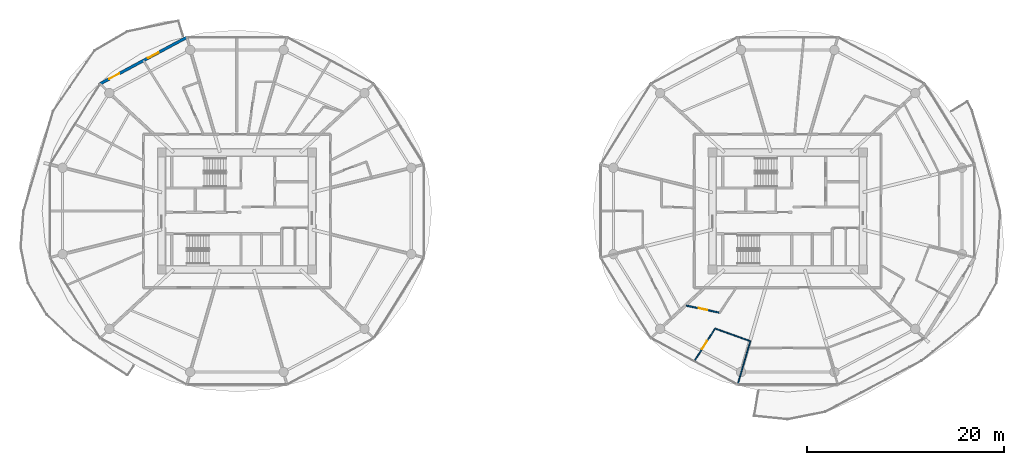
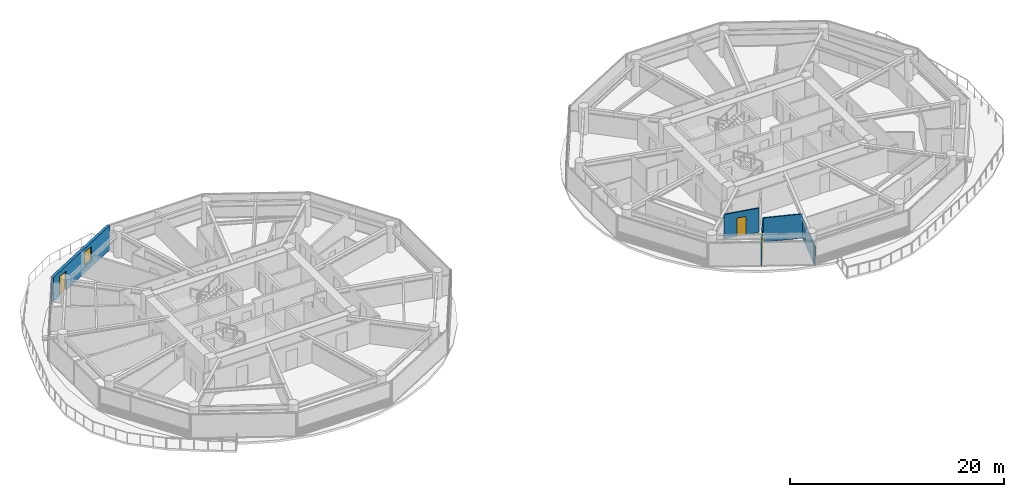
# One storey, part 18 of 27: 5 walls, 3 doors, 1 window, 4 openings.
"""IFC4 building model written with IfcOpenShell, lengths in metres."""

from ifc_helpers import new_model, si_unit, direction, frame, frame_2d, origin, place, context, subcontext, project, spatial, rectangle, extrude, source, transform, mapped, material, layer, layer_set, type_object, type_shapes, element, fill, save


model = new_model("IFC4")

# Units and contexts
model_context = context("Model", 3, precision=1e-05, world=origin(), true_north=direction((0.0, 1.0)))
body_context = subcontext(model_context, "Body", "Model", "MODEL_VIEW")
ifc_project = project(units=[si_unit("LENGTHUNIT", "METRE"), si_unit("AREAUNIT", "SQUARE_METRE"), si_unit("VOLUMEUNIT", "CUBIC_METRE"), si_unit("PLANEANGLEUNIT", "RADIAN"), si_unit("MASSUNIT", "GRAM", prefix="KILO")], contexts=[model_context])

# Site, building, storey
site_placement = place(None, origin())
site = spatial("IfcSite", under=ifc_project, at=site_placement, CompositionType="ELEMENT")
building_placement = place(site_placement, origin())
building = spatial("IfcBuilding", under=site, at=building_placement, Name="Norrkilde Senior Care Towers", CompositionType="ELEMENT")
storey_placement = place(building_placement, frame((0.0, 0.0, 30.75)))
storey = spatial("IfcBuildingStorey", under=building, at=storey_placement, Name="L08", CompositionType="ELEMENT", Elevation=30.75)

# Wall, openings, door, window
ifc_material_1 = material(Name="Precast concrete C45/55", Category="concrete")
ifc_layer_1 = layer(ifc_material_1, 0.2900390625)
ifc_layer_set_1 = layer_set([ifc_layer_1], Name="Precast concrete C45/55")
wall_type_1 = type_object("IfcWallType", Name="Winter Garden Facade Wall 290", PredefinedType="SOLIDWALL", material=ifc_layer_set_1)
shared_shape_1 = source(origin(), body_context, "Body", "SweptSolid", [
    extrude(rectangle(XDim=10.0107421875, YDim=0.2900390625, at=frame_2d((5.00537109375, 0.0))), origin(), (0.0, 0.0, 1.0), 2.7900390625),
])
type_shapes(wall_type_1, [shared_shape_1])
wall_1_placement = place(storey_placement, frame((-41.915771484375, 12.926025390625, 0.0), z_axis=(0.0, 0.0, 1.0), x_axis=(0.881272505317, 0.472608475773, 0.0)))
wall_1 = element("IfcWall", 1, at=wall_1_placement, inside=storey, type_object=wall_type_1, Name="L08 Drum W Balcony Access Wall 03", PredefinedType="SOLIDWALL", context=body_context, shape_type="MappedRepresentation", body=[
    mapped(shared_shape_1, transform((0.0, 0.0, 0.0), x_axis=(1.0, 0.0, 0.0), y_axis=(0.0, 1.0, 0.0), z_axis=(0.0, 0.0, 1.0), scale=1.0)),
])
opening_1_placement = place(wall_1_placement, frame((1.06005859375, 0.0, 0.0)))
opening_1 = element("IfcOpeningElement", 2, at=opening_1_placement, cuts=wall_1, Name="Opening D-09", PredefinedType="OPENING", context=body_context, shape_type="SweptSolid", body=[
    extrude(rectangle(XDim=1.14990234375, YDim=2.25, at=frame_2d((0.574951171875, 1.125))), frame((0.0, 0.155029296875, 0.0), z_axis=(0.0, -1.0, 0.0), x_axis=(1.0, 0.0, 0.0)), (0.0, 0.0, 1.0), 0.31005859375),
])
opening_2_placement = place(wall_1_placement, frame((5.535400390625, 0.0, 0.85009765625)))
opening_2 = element("IfcOpeningElement", 3, at=opening_2_placement, cuts=wall_1, Name="Opening WN-07", PredefinedType="OPENING", context=body_context, shape_type="SweptSolid", body=[
    extrude(rectangle(XDim=1.199951171875, YDim=1.5, at=frame_2d((0.60009765625, 0.75))), frame((0.0, 0.155029296875, 0.0), z_axis=(0.0, -1.0, 0.0), x_axis=(1.0, 0.0, 0.0)), (0.0, 0.0, 1.0), 0.31005859375),
])
ifc_material_2 = material(Name="Anodised Aluminium", Category="aluminium")
door_type_1 = type_object("IfcDoorType", Name="Terrace and Balcony Glazed Door 1150x2250", OperationType="NOTDEFINED", PredefinedType="DOOR", material=ifc_material_2)
shared_shape_2 = source(origin(), body_context, "Body", "SweptSolid", [
    extrude(rectangle(XDim=1.14990234375, YDim=2.25, at=frame_2d((0.574951171875, 1.125))), frame((0.0, 0.02490234375, 0.0), z_axis=(0.0, -1.0, 0.0), x_axis=(1.0, 0.0, 0.0)), (0.0, 0.0, 1.0), 0.050048828125),
])
type_shapes(door_type_1, [shared_shape_2])
door_1_placement = place(opening_1_placement, origin())
door_1 = element("IfcDoor", 4, at=door_1_placement, inside=storey, type_object=door_type_1, Name="L08 Drum W Outdoor Terrace Door 03", OperationType="SINGLE_SWING_RIGHT", OverallHeight=2.25, OverallWidth=1.14990234375, PredefinedType="DOOR", context=body_context, shape_type="MappedRepresentation", body=[
    mapped(shared_shape_2, transform((0.0, 0.0, 0.0), x_axis=(1.0, 0.0, 0.0), y_axis=(0.0, 1.0, 0.0), z_axis=(0.0, 0.0, 1.0), scale=1.0)),
])
fill(opening_1, door_1)
ifc_material_3 = material(Name="Triple Low-E Insulated Glazing", Category="glass")
window_type = type_object("IfcWindowType", Name="Stairwell Smoke Vent Window 1200x1500", PartitioningType="SINGLE_PANEL", PredefinedType="WINDOW", material=ifc_material_3)
shared_shape_3 = source(origin(), body_context, "Body", "SweptSolid", [
    extrude(rectangle(XDim=1.199951171875, YDim=1.5, at=frame_2d((0.60009765625, 0.75))), frame((0.0, 0.030029296875, 0.0), z_axis=(0.0, -1.0, 0.0), x_axis=(1.0, 0.0, 0.0)), (0.0, 0.0, 1.0), 0.06005859375),
])
type_shapes(window_type, [shared_shape_3])
window_placement = place(opening_2_placement, origin())
window = element("IfcWindow", 5, at=window_placement, inside=storey, type_object=window_type, Name="L08 Drum W Winter Garden Window 03", OverallHeight=1.5, OverallWidth=1.199951171875, PartitioningType="SINGLE_PANEL", PredefinedType="WINDOW", context=body_context, shape_type="MappedRepresentation", body=[
    mapped(shared_shape_3, transform((0.0, 0.0, 0.0), x_axis=(1.0, 0.0, 0.0), y_axis=(0.0, 1.0, 0.0), z_axis=(0.0, 0.0, 1.0), scale=1.0)),
])
fill(opening_2, window)

# Wall, opening, door
ifc_material_4 = material(Name="Gypsum Acoustic Board")
ifc_layer_2 = layer(ifc_material_4, 0.139892578125)
ifc_layer_set_2 = layer_set([ifc_layer_2], Name="Gypsum Acoustic Board")
wall_type_2 = type_object("IfcWallType", Name="En-suite Wet Room Wall 140", PredefinedType="PARTITIONING", material=ifc_layer_set_2)
shared_shape_4 = source(origin(), body_context, "Body", "SweptSolid", [
    extrude(rectangle(XDim=3.458984375, YDim=0.139892578125, at=frame_2d((1.7294921875, 0.0))), origin(), (0.0, 0.0, 1.0), 2.77490234375),
])
type_shapes(wall_type_2, [shared_shape_4])
wall_2_placement = place(storey_placement, frame((21.07763671875, -10.34423828125, 0.0), z_axis=(0.0, 0.0, 1.0), x_axis=(-0.978006468578, 0.208574560815, 0.0)))
wall_2 = element("IfcWall", 6, at=wall_2_placement, inside=storey, type_object=wall_type_2, Name="WL-INT-L08-E-UBTF-07", PredefinedType="PARTITIONING", context=body_context, shape_type="MappedRepresentation", body=[
    mapped(shared_shape_4, transform((0.0, 0.0, 0.0), x_axis=(1.0, 0.0, 0.0), y_axis=(0.0, 1.0, 0.0), z_axis=(0.0, 0.0, 1.0), scale=1.0)),
])
opening_3_placement = place(wall_2_placement, frame((1.26953125, 0.0, 0.0)))
opening_3 = element("IfcOpeningElement", 7, at=opening_3_placement, cuts=wall_2, Name="Opening D-08", PredefinedType="OPENING", context=body_context, shape_type="SweptSolid", body=[
    extrude(rectangle(XDim=0.919921875, YDim=2.10009765625, at=frame_2d((0.4599609375, 1.050048828125))), frame((0.0, 0.079833984375, 0.0), z_axis=(0.0, -1.0, 0.0), x_axis=(1.0, 0.0, 0.0)), (0.0, 0.0, 1.0), 0.159912109375),
])
ifc_material_5 = material(Name="Nordic Ash Timber", Category="wood")
door_type_2 = type_object("IfcDoorType", Name="Accessible Wet Room Door 920x2100", OperationType="NOTDEFINED", PredefinedType="DOOR", material=ifc_material_5)
shared_shape_5 = source(origin(), body_context, "Body", "SweptSolid", [
    extrude(rectangle(XDim=0.919921875, YDim=2.10009765625, at=frame_2d((0.4599609375, 1.050048828125))), frame((0.0, 0.02490234375, 0.0), z_axis=(0.0, -1.0, 0.0), x_axis=(1.0, 0.0, 0.0)), (0.0, 0.0, 1.0), 0.050048828125),
])
type_shapes(door_type_2, [shared_shape_5])
door_2_placement = place(opening_3_placement, origin())
door_2 = element("IfcDoor", 8, at=door_2_placement, inside=storey, type_object=door_type_2, Name="Apartment 08E Bathroom Door", OperationType="SINGLE_SWING_LEFT", OverallHeight=2.10009765625, OverallWidth=0.919921875, PredefinedType="DOOR", context=body_context, shape_type="MappedRepresentation", body=[
    mapped(shared_shape_5, transform((0.0, 0.0, 0.0), x_axis=(1.0, 0.0, 0.0), y_axis=(0.0, 1.0, 0.0), z_axis=(0.0, 0.0, 1.0), scale=1.0)),
])
fill(opening_3, door_2)

# Wall
ifc_layer_3 = layer(ifc_material_4, 0.114990234375)
ifc_layer_set_3 = layer_set([ifc_layer_3], Name="Gypsum Acoustic Board")
wall_type_3 = type_object("IfcWallType", Name="Internal Room Partition 115", PredefinedType="PARTITIONING", material=ifc_layer_set_3)
shared_shape_6 = source(origin(), body_context, "Body", "SweptSolid", [
    extrude(rectangle(XDim=4.62451171875, YDim=0.114990234375, at=frame_2d((2.312255859375, 0.0))), origin(), (0.0, 0.0, 1.0), 2.22509765625),
])
wall_3_placement = place(storey_placement, frame((24.201171875, -13.238525390625, 0.0), z_axis=(0.0, 0.0, 1.0), x_axis=(-0.2810742844, -0.959686014616, 0.0)))
element("IfcWall", 9, at=wall_3_placement, inside=storey, type_object=wall_type_3, Name="WL-INT-L08-E-UBR-07-1", PredefinedType="PARTITIONING", context=body_context, shape_type="MappedRepresentation", body=[
    mapped(shared_shape_6, transform((0.0, 0.0, 0.0), x_axis=(1.0, 0.0, 0.0), y_axis=(0.0, 1.0, 0.0), z_axis=(0.0, 0.0, 1.0), scale=1.0)),
])

# Wall, opening, door
shared_shape_7 = source(origin(), body_context, "Body", "SweptSolid", [
    extrude(rectangle(XDim=3.974365234375, YDim=0.114990234375, at=frame_2d((1.9873046875, 0.0))), origin(), (0.0, 0.0, 1.0), 2.77490234375),
])
wall_4_placement = place(storey_placement, frame((20.611083984375, -11.9501953125, 0.0), z_axis=(0.0, 0.0, 1.0), x_axis=(-0.534810918023, -0.844971764003, 0.0)))
wall_4 = element("IfcWall", 10, at=wall_4_placement, inside=storey, type_object=wall_type_3, Name="WL-INT-L08-E-UKTS-07", PredefinedType="PARTITIONING", context=body_context, shape_type="MappedRepresentation", body=[
    mapped(shared_shape_7, transform((0.0, 0.0, 0.0), x_axis=(1.0, 0.0, 0.0), y_axis=(0.0, 1.0, 0.0), z_axis=(0.0, 0.0, 1.0), scale=1.0)),
])
opening_4_placement = place(wall_4_placement, frame((1.51220703125, 0.0, 0.0)))
opening_4 = element("IfcOpeningElement", 11, at=opening_4_placement, cuts=wall_4, Name="Opening D-07", PredefinedType="OPENING", context=body_context, shape_type="SweptSolid", body=[
    extrude(rectangle(XDim=0.949951171875, YDim=2.10009765625, at=frame_2d((0.47509765625, 1.050048828125))), frame((0.0, 0.0673828125, 0.0), z_axis=(0.0, -1.0, 0.0), x_axis=(1.0, 0.0, 0.0)), (0.0, 0.0, 1.0), 0.135009765625),
])
door_type_3 = type_object("IfcDoorType", Name="Internal Suite Bedroom Door 950x2100", OperationType="NOTDEFINED", PredefinedType="DOOR", material=ifc_material_5)
shared_shape_8 = source(origin(), body_context, "Body", "SweptSolid", [
    extrude(rectangle(XDim=0.949951171875, YDim=2.10009765625, at=frame_2d((0.47509765625, 1.050048828125))), frame((0.0, 0.02490234375, 0.0), z_axis=(0.0, -1.0, 0.0), x_axis=(1.0, 0.0, 0.0)), (0.0, 0.0, 1.0), 0.050048828125),
])
type_shapes(door_type_3, [shared_shape_8])
door_3_placement = place(opening_4_placement, frame((0.949951171875, 0.0, 0.0), z_axis=(0.0, 0.0, 1.0), x_axis=(-1.0, 0.0, 0.0)))
door_3 = element("IfcDoor", 12, at=door_3_placement, inside=storey, type_object=door_type_3, Name="Apartment 08E Kitchen Door", OperationType="SINGLE_SWING_RIGHT", OverallHeight=2.10009765625, OverallWidth=0.949951171875, PredefinedType="DOOR", context=body_context, shape_type="MappedRepresentation", body=[
    mapped(shared_shape_8, transform((0.0, 0.0, 0.0), x_axis=(1.0, 0.0, 0.0), y_axis=(0.0, 1.0, 0.0), z_axis=(0.0, 0.0, 1.0), scale=1.0)),
])
fill(opening_4, door_3)

# Wall
shared_shape_9 = source(origin(), body_context, "Body", "SweptSolid", [
    extrude(rectangle(XDim=3.814453125, YDim=0.114990234375, at=frame_2d((1.9072265625, 0.0))), origin(), (0.0, 0.0, 1.0), 2.77490234375),
])
type_shapes(wall_type_3, [shared_shape_6, shared_shape_7, shared_shape_9])
wall_5_placement = place(storey_placement, frame((20.611083984375, -11.9501953125, 0.0), z_axis=(0.0, 0.0, 1.0), x_axis=(0.940935542004, -0.338585743637, 0.0)))
element("IfcWall", 13, at=wall_5_placement, inside=storey, type_object=wall_type_3, Name="WL-INT-L08-E-UKTF-07", PredefinedType="PARTITIONING", context=body_context, shape_type="MappedRepresentation", body=[
    mapped(shared_shape_9, transform((0.0, 0.0, 0.0), x_axis=(1.0, 0.0, 0.0), y_axis=(0.0, 1.0, 0.0), z_axis=(0.0, 0.0, 1.0), scale=1.0)),
])

save(model, "model.ifc")
